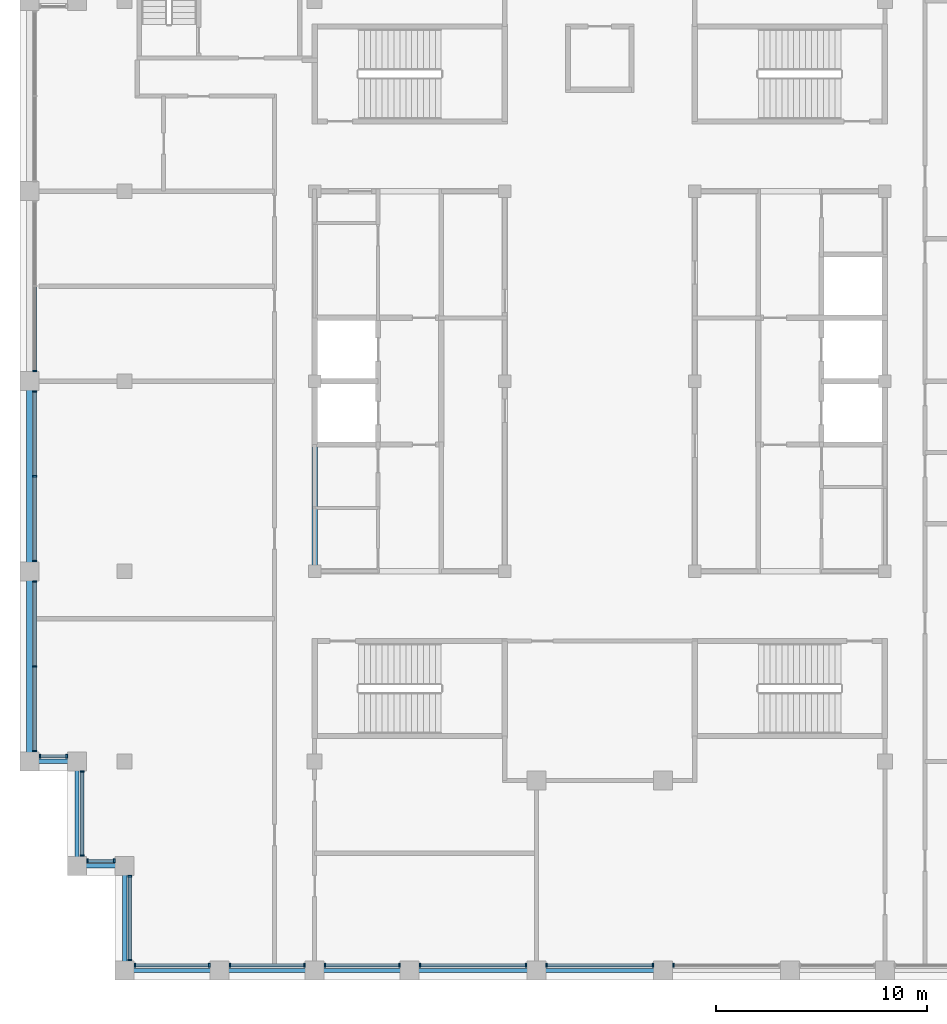
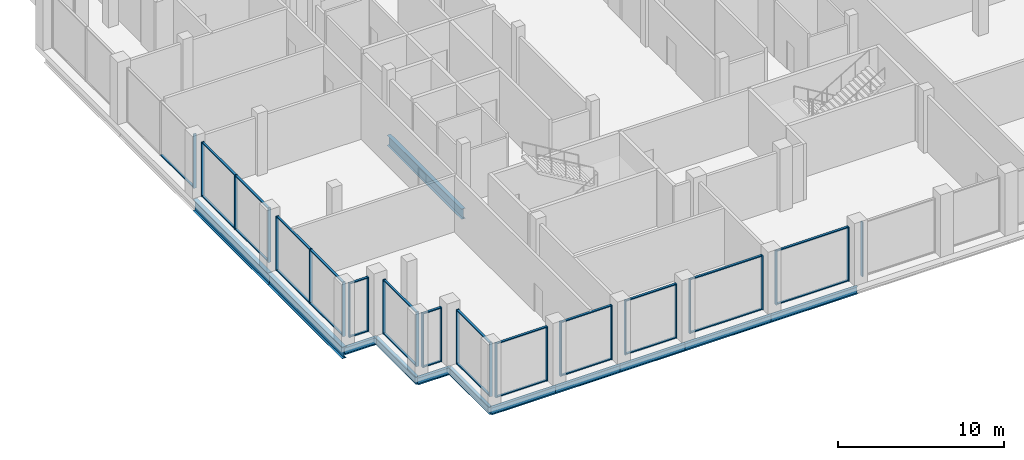
# One storey, part 2 of 13: 53 members, 12 beams, 13 elements without a shape of their own.
"""IFC4 building model written with IfcOpenShell, lengths in metres."""

from ifc_helpers import new_model, si_unit, direction, frame, origin, origin_2d, place, context, subcontext, project, spatial, rectangle, i_section, extrude, material, layer, layer_set, material_profile, profile_set, type_object, element, aggregate, save


model = new_model("IFC4")

# Units and contexts
model_context = context("Model", 3, precision=1e-05, world=origin(), true_north=direction((0.0, 1.0)))
body_context = subcontext(model_context, "Body", "Model", "MODEL_VIEW")
ifc_project = project(units=[si_unit("LENGTHUNIT", "METRE"), si_unit("AREAUNIT", "SQUARE_METRE"), si_unit("VOLUMEUNIT", "CUBIC_METRE"), si_unit("PLANEANGLEUNIT", "RADIAN"), si_unit("MASSUNIT", "GRAM", prefix="KILO")], contexts=[model_context])

# Site, building, storey
site_placement = place(None, origin())
site = spatial("IfcSite", under=ifc_project, at=site_placement, CompositionType="ELEMENT")
building_placement = place(site_placement, origin())
building = spatial("IfcBuilding", under=site, at=building_placement, Name="Corbelhall Arena Tower", CompositionType="ELEMENT")
storey_placement = place(building_placement, frame((0.0, 0.0, 361.0)))
storey = spatial("IfcBuildingStorey", under=building, at=storey_placement, Name="L79", CompositionType="ELEMENT", Elevation=361.0)

# Curtain wall, member
ifc_material_1 = material(Name="Aluminium black anodised", Category="aluminium")
ifc_layer = layer(ifc_material_1, 0.179931640625)
ifc_layer_set = layer_set([ifc_layer], Name="EV-CW3 Crown glazing")
curtain_wall_type = type_object("IfcCurtainWallType", Name="EV-CW3 Crown glazing", PredefinedType="NOTDEFINED", material=ifc_layer_set)
curtain_wall_1_placement = place(storey_placement, origin())
curtain_wall_1 = element("IfcCurtainWall", 1, at=curtain_wall_1_placement, inside=storey, type_object=curtain_wall_type, Name="Curtain wall CW3", PredefinedType="NOTDEFINED")
ifc_material_profile_1 = material_profile(ifc_material_1, rectangle(XDim=0.199951171875, YDim=0.074951171875, at=origin_2d()))
ifc_profile_set_1 = profile_set([ifc_material_profile_1], Name="Aluminium black anodised")
member_type_1 = type_object("IfcMemberType", Name="EV-CW3-MULLION", PredefinedType="MULLION", material=ifc_profile_set_1)
member_1_placement = place(storey_placement, frame((-26.75, 0.487548828125, 0.0), z_axis=(0.0, 0.0, 1.0), x_axis=(1.0, 0.0, 0.0)))
member_1 = element("IfcMember", 2, at=member_1_placement, type_object=member_type_1, Name="CW3 mullion 3", PredefinedType="MULLION", context=body_context, shape_type="SweptSolid", body=[
    extrude(rectangle(XDim=0.199951171875, YDim=0.074951171875, at=origin_2d()), origin(), (0.0, 0.0, 1.0), 3.99951171875),
])

# Curtain wall, members
curtain_wall_2_placement = place(storey_placement, origin())
curtain_wall_2 = element("IfcCurtainWall", 3, at=curtain_wall_2_placement, inside=storey, type_object=curtain_wall_type, Name="Curtain wall CW3", PredefinedType="NOTDEFINED")
member_2_placement = place(storey_placement, frame((-26.75, -0.487548828125, 0.0), z_axis=(0.0, 0.0, 1.0), x_axis=(1.0, 0.0, 0.0)))
member_2 = element("IfcMember", 4, at=member_2_placement, type_object=member_type_1, Name="CW3 mullion 1", PredefinedType="MULLION", context=body_context, shape_type="SweptSolid", body=[
    extrude(rectangle(XDim=0.199951171875, YDim=0.074951171875, at=origin_2d()), origin(), (0.0, 0.0, 1.0), 3.99951171875),
])
member_3_placement = place(storey_placement, frame((-26.75, -4.5, 0.0), z_axis=(0.0, 0.0, 1.0), x_axis=(1.0, 0.0, 0.0)))
member_3 = element("IfcMember", 5, at=member_3_placement, type_object=member_type_1, Name="CW3 mullion 2", PredefinedType="MULLION", context=body_context, shape_type="SweptSolid", body=[
    extrude(rectangle(XDim=0.199951171875, YDim=0.074951171875, at=origin_2d()), origin(), (0.0, 0.0, 1.0), 3.99951171875),
])
member_4_placement = place(storey_placement, frame((-26.75, -8.512451171875, 0.0), z_axis=(0.0, 0.0, 1.0), x_axis=(1.0, 0.0, 0.0)))
member_4 = element("IfcMember", 6, at=member_4_placement, type_object=member_type_1, Name="CW3 mullion 3", PredefinedType="MULLION", context=body_context, shape_type="SweptSolid", body=[
    extrude(rectangle(XDim=0.199951171875, YDim=0.074951171875, at=origin_2d()), origin(), (0.0, 0.0, 1.0), 3.99951171875),
])

curtain_wall_3_placement = place(storey_placement, origin())
curtain_wall_3 = element("IfcCurtainWall", 7, at=curtain_wall_3_placement, inside=storey, type_object=curtain_wall_type, Name="Curtain wall CW3", PredefinedType="NOTDEFINED")
member_5_placement = place(storey_placement, frame((-26.75, -9.487548828125, 0.0), z_axis=(0.0, 0.0, 1.0), x_axis=(1.0, 0.0, 0.0)))
member_5 = element("IfcMember", 8, at=member_5_placement, type_object=member_type_1, Name="CW3 mullion 1", PredefinedType="MULLION", context=body_context, shape_type="SweptSolid", body=[
    extrude(rectangle(XDim=0.199951171875, YDim=0.074951171875, at=origin_2d()), origin(), (0.0, 0.0, 1.0), 3.99951171875),
])
member_6_placement = place(storey_placement, frame((-26.75, -13.5, 0.0), z_axis=(0.0, 0.0, 1.0), x_axis=(1.0, 0.0, 0.0)))
member_6 = element("IfcMember", 9, at=member_6_placement, type_object=member_type_1, Name="CW3 mullion 2", PredefinedType="MULLION", context=body_context, shape_type="SweptSolid", body=[
    extrude(rectangle(XDim=0.199951171875, YDim=0.074951171875, at=origin_2d()), origin(), (0.0, 0.0, 1.0), 3.99951171875),
])
member_7_placement = place(storey_placement, frame((-26.75, -17.512451171875, 0.0), z_axis=(0.0, 0.0, 1.0), x_axis=(1.0, 0.0, 0.0)))
member_7 = element("IfcMember", 10, at=member_7_placement, type_object=member_type_1, Name="CW3 mullion 3", PredefinedType="MULLION", context=body_context, shape_type="SweptSolid", body=[
    extrude(rectangle(XDim=0.199951171875, YDim=0.074951171875, at=origin_2d()), origin(), (0.0, 0.0, 1.0), 3.99951171875),
])

curtain_wall_4_placement = place(storey_placement, origin())
curtain_wall_4 = element("IfcCurtainWall", 11, at=curtain_wall_4_placement, inside=storey, type_object=curtain_wall_type, Name="Curtain wall CW3B", PredefinedType="NOTDEFINED")
member_8_placement = place(storey_placement, frame((-26.512451171875, -17.75, 0.0), z_axis=(0.0, 0.0, 1.0), x_axis=(0.0, 1.0, 0.0)))
member_8 = element("IfcMember", 12, at=member_8_placement, type_object=member_type_1, Name="CW3B mullion 1", PredefinedType="MULLION", context=body_context, shape_type="SweptSolid", body=[
    extrude(rectangle(XDim=0.199951171875, YDim=0.074951171875, at=origin_2d()), origin(), (0.0, 0.0, 1.0), 3.99951171875),
])
member_9_placement = place(storey_placement, frame((-25.237548828125, -17.75, 0.0), z_axis=(0.0, 0.0, 1.0), x_axis=(0.0, 1.0, 0.0)))
member_9 = element("IfcMember", 13, at=member_9_placement, type_object=member_type_1, Name="CW3B mullion 2", PredefinedType="MULLION", context=body_context, shape_type="SweptSolid", body=[
    extrude(rectangle(XDim=0.199951171875, YDim=0.074951171875, at=origin_2d()), origin(), (0.0, 0.0, 1.0), 3.99951171875),
])

curtain_wall_5_placement = place(storey_placement, origin())
curtain_wall_5 = element("IfcCurtainWall", 14, at=curtain_wall_5_placement, inside=storey, type_object=curtain_wall_type, Name="Curtain wall CW3", PredefinedType="NOTDEFINED")
member_10_placement = place(storey_placement, frame((-24.5, -18.487548828125, 0.0), z_axis=(0.0, 0.0, 1.0), x_axis=(1.0, 0.0, 0.0)))
member_10 = element("IfcMember", 15, at=member_10_placement, type_object=member_type_1, Name="CW3 mullion 1", PredefinedType="MULLION", context=body_context, shape_type="SweptSolid", body=[
    extrude(rectangle(XDim=0.199951171875, YDim=0.074951171875, at=origin_2d()), origin(), (0.0, 0.0, 1.0), 3.99951171875),
])
member_11_placement = place(storey_placement, frame((-24.5, -22.46240234375, 0.0), z_axis=(0.0, 0.0, 1.0), x_axis=(1.0, 0.0, 0.0)))
member_11 = element("IfcMember", 16, at=member_11_placement, type_object=member_type_1, Name="CW3 mullion 2", PredefinedType="MULLION", context=body_context, shape_type="SweptSolid", body=[
    extrude(rectangle(XDim=0.199951171875, YDim=0.074951171875, at=origin_2d()), origin(), (0.0, 0.0, 1.0), 3.99951171875),
])

curtain_wall_6_placement = place(storey_placement, origin())
curtain_wall_6 = element("IfcCurtainWall", 17, at=curtain_wall_6_placement, inside=storey, type_object=curtain_wall_type, Name="Curtain wall CW3B", PredefinedType="NOTDEFINED")
member_12_placement = place(storey_placement, frame((-24.262451171875, -22.699951171875, 0.0), z_axis=(0.0, 0.0, 1.0), x_axis=(0.0, 1.0, 0.0)))
member_12 = element("IfcMember", 18, at=member_12_placement, type_object=member_type_1, Name="CW3B mullion 1", PredefinedType="MULLION", context=body_context, shape_type="SweptSolid", body=[
    extrude(rectangle(XDim=0.199951171875, YDim=0.074951171875, at=origin_2d()), origin(), (0.0, 0.0, 1.0), 3.99951171875),
])
member_13_placement = place(storey_placement, frame((-22.987548828125, -22.699951171875, 0.0), z_axis=(0.0, 0.0, 1.0), x_axis=(0.0, 1.0, 0.0)))
member_13 = element("IfcMember", 19, at=member_13_placement, type_object=member_type_1, Name="CW3B mullion 2", PredefinedType="MULLION", context=body_context, shape_type="SweptSolid", body=[
    extrude(rectangle(XDim=0.199951171875, YDim=0.074951171875, at=origin_2d()), origin(), (0.0, 0.0, 1.0), 3.99951171875),
])

curtain_wall_7_placement = place(storey_placement, origin())
curtain_wall_7 = element("IfcCurtainWall", 20, at=curtain_wall_7_placement, inside=storey, type_object=curtain_wall_type, Name="Curtain wall CW3", PredefinedType="NOTDEFINED")
member_14_placement = place(storey_placement, frame((-22.25, -23.4375, 0.0), z_axis=(0.0, 0.0, 1.0), x_axis=(1.0, 0.0, 0.0)))
member_14 = element("IfcMember", 21, at=member_14_placement, type_object=member_type_1, Name="CW3 mullion 1", PredefinedType="MULLION", context=body_context, shape_type="SweptSolid", body=[
    extrude(rectangle(XDim=0.199951171875, YDim=0.074951171875, at=origin_2d()), origin(), (0.0, 0.0, 1.0), 3.99951171875),
])
member_15_placement = place(storey_placement, frame((-22.25, -27.41259765625, 0.0), z_axis=(0.0, 0.0, 1.0), x_axis=(1.0, 0.0, 0.0)))
member_15 = element("IfcMember", 22, at=member_15_placement, type_object=member_type_1, Name="CW3 mullion 2", PredefinedType="MULLION", context=body_context, shape_type="SweptSolid", body=[
    extrude(rectangle(XDim=0.199951171875, YDim=0.074951171875, at=origin_2d()), origin(), (0.0, 0.0, 1.0), 3.99951171875),
])

curtain_wall_8_placement = place(storey_placement, origin())
curtain_wall_8 = element("IfcCurtainWall", 23, at=curtain_wall_8_placement, inside=storey, type_object=curtain_wall_type, Name="Curtain wall CW3A", PredefinedType="NOTDEFINED")
member_16_placement = place(storey_placement, frame((-22.012451171875, -27.64990234375, 0.0), z_axis=(0.0, 0.0, 1.0), x_axis=(0.0, 1.0, 0.0)))
member_16 = element("IfcMember", 24, at=member_16_placement, type_object=member_type_1, Name="CW3A mullion 1", PredefinedType="MULLION", context=body_context, shape_type="SweptSolid", body=[
    extrude(rectangle(XDim=0.199951171875, YDim=0.074951171875, at=origin_2d()), origin(), (0.0, 0.0, 1.0), 3.99951171875),
])
member_17_placement = place(storey_placement, frame((-18.487548828125, -27.64990234375, 0.0), z_axis=(0.0, 0.0, 1.0), x_axis=(0.0, 1.0, 0.0)))
member_17 = element("IfcMember", 25, at=member_17_placement, type_object=member_type_1, Name="CW3A mullion 2", PredefinedType="MULLION", context=body_context, shape_type="SweptSolid", body=[
    extrude(rectangle(XDim=0.199951171875, YDim=0.074951171875, at=origin_2d()), origin(), (0.0, 0.0, 1.0), 3.99951171875),
])

curtain_wall_9_placement = place(storey_placement, origin())
curtain_wall_9 = element("IfcCurtainWall", 26, at=curtain_wall_9_placement, inside=storey, type_object=curtain_wall_type, Name="Curtain wall CW3A", PredefinedType="NOTDEFINED")
member_18_placement = place(storey_placement, frame((-17.512451171875, -27.64990234375, 0.0), z_axis=(0.0, 0.0, 1.0), x_axis=(0.0, 1.0, 0.0)))
member_18 = element("IfcMember", 27, at=member_18_placement, type_object=member_type_1, Name="CW3A mullion 1", PredefinedType="MULLION", context=body_context, shape_type="SweptSolid", body=[
    extrude(rectangle(XDim=0.199951171875, YDim=0.074951171875, at=origin_2d()), origin(), (0.0, 0.0, 1.0), 3.99951171875),
])
member_19_placement = place(storey_placement, frame((-13.987548828125, -27.64990234375, 0.0), z_axis=(0.0, 0.0, 1.0), x_axis=(0.0, 1.0, 0.0)))
member_19 = element("IfcMember", 28, at=member_19_placement, type_object=member_type_1, Name="CW3A mullion 2", PredefinedType="MULLION", context=body_context, shape_type="SweptSolid", body=[
    extrude(rectangle(XDim=0.199951171875, YDim=0.074951171875, at=origin_2d()), origin(), (0.0, 0.0, 1.0), 3.99951171875),
])

curtain_wall_10_placement = place(storey_placement, origin())
curtain_wall_10 = element("IfcCurtainWall", 29, at=curtain_wall_10_placement, inside=storey, type_object=curtain_wall_type, Name="Curtain wall CW3A", PredefinedType="NOTDEFINED")
member_20_placement = place(storey_placement, frame((-13.012451171875, -27.64990234375, 0.0), z_axis=(0.0, 0.0, 1.0), x_axis=(0.0, 1.0, 0.0)))
member_20 = element("IfcMember", 30, at=member_20_placement, type_object=member_type_1, Name="CW3A mullion 1", PredefinedType="MULLION", context=body_context, shape_type="SweptSolid", body=[
    extrude(rectangle(XDim=0.199951171875, YDim=0.074951171875, at=origin_2d()), origin(), (0.0, 0.0, 1.0), 3.99951171875),
])
member_21_placement = place(storey_placement, frame((-9.487548828125, -27.64990234375, 0.0), z_axis=(0.0, 0.0, 1.0), x_axis=(0.0, 1.0, 0.0)))
member_21 = element("IfcMember", 31, at=member_21_placement, type_object=member_type_1, Name="CW3A mullion 2", PredefinedType="MULLION", context=body_context, shape_type="SweptSolid", body=[
    extrude(rectangle(XDim=0.199951171875, YDim=0.074951171875, at=origin_2d()), origin(), (0.0, 0.0, 1.0), 3.99951171875),
])

curtain_wall_11_placement = place(storey_placement, origin())
curtain_wall_11 = element("IfcCurtainWall", 32, at=curtain_wall_11_placement, inside=storey, type_object=curtain_wall_type, Name="Curtain wall CW3C", PredefinedType="NOTDEFINED")
member_22_placement = place(storey_placement, frame((-8.512451171875, -27.64990234375, 0.0), z_axis=(0.0, 0.0, 1.0), x_axis=(0.0, 1.0, 0.0)))
member_22 = element("IfcMember", 33, at=member_22_placement, type_object=member_type_1, Name="CW3C mullion 1", PredefinedType="MULLION", context=body_context, shape_type="SweptSolid", body=[
    extrude(rectangle(XDim=0.199951171875, YDim=0.074951171875, at=origin_2d()), origin(), (0.0, 0.0, 1.0), 3.99951171875),
])
member_23_placement = place(storey_placement, frame((-3.487548828125, -27.64990234375, 0.0), z_axis=(0.0, 0.0, 1.0), x_axis=(0.0, 1.0, 0.0)))
member_23 = element("IfcMember", 34, at=member_23_placement, type_object=member_type_1, Name="CW3C mullion 2", PredefinedType="MULLION", context=body_context, shape_type="SweptSolid", body=[
    extrude(rectangle(XDim=0.199951171875, YDim=0.074951171875, at=origin_2d()), origin(), (0.0, 0.0, 1.0), 3.99951171875),
])

curtain_wall_12_placement = place(storey_placement, origin())
curtain_wall_12 = element("IfcCurtainWall", 35, at=curtain_wall_12_placement, inside=storey, type_object=curtain_wall_type, Name="Curtain wall CW3C", PredefinedType="NOTDEFINED")
member_24_placement = place(storey_placement, frame((-2.512451171875, -27.64990234375, 0.0), z_axis=(0.0, 0.0, 1.0), x_axis=(0.0, 1.0, 0.0)))
member_24 = element("IfcMember", 36, at=member_24_placement, type_object=member_type_1, Name="CW3C mullion 1", PredefinedType="MULLION", context=body_context, shape_type="SweptSolid", body=[
    extrude(rectangle(XDim=0.199951171875, YDim=0.074951171875, at=origin_2d()), origin(), (0.0, 0.0, 1.0), 3.99951171875),
])
member_25_placement = place(storey_placement, frame((2.512451171875, -27.64990234375, 0.0), z_axis=(0.0, 0.0, 1.0), x_axis=(0.0, 1.0, 0.0)))
member_25 = element("IfcMember", 37, at=member_25_placement, type_object=member_type_1, Name="CW3C mullion 2", PredefinedType="MULLION", context=body_context, shape_type="SweptSolid", body=[
    extrude(rectangle(XDim=0.199951171875, YDim=0.074951171875, at=origin_2d()), origin(), (0.0, 0.0, 1.0), 3.99951171875),
])

# Curtain wall, member
curtain_wall_13_placement = place(storey_placement, origin())
curtain_wall_13 = element("IfcCurtainWall", 38, at=curtain_wall_13_placement, inside=storey, type_object=curtain_wall_type, Name="Curtain wall CW3C", PredefinedType="NOTDEFINED")
member_26_placement = place(storey_placement, frame((3.487548828125, -27.64990234375, 0.0), z_axis=(0.0, 0.0, 1.0), x_axis=(0.0, 1.0, 0.0)))
member_26 = element("IfcMember", 39, at=member_26_placement, type_object=member_type_1, Name="CW3C mullion 1", PredefinedType="MULLION", context=body_context, shape_type="SweptSolid", body=[
    extrude(rectangle(XDim=0.199951171875, YDim=0.074951171875, at=origin_2d()), origin(), (0.0, 0.0, 1.0), 3.99951171875),
])
aggregate(curtain_wall_13, [member_26])

# Member
ifc_material_profile_2 = material_profile(ifc_material_1, rectangle(XDim=0.14990234375, YDim=0.074951171875, at=origin_2d()))
ifc_profile_set_2 = profile_set([ifc_material_profile_2], Name="Aluminium black anodised")
member_type_2 = type_object("IfcMemberType", Name="EV-CW3-TRANSOM", PredefinedType="USERDEFINED", material=ifc_profile_set_2)
member_27_placement = place(storey_placement, frame((-26.75, 4.46240234375, 0.03759765625), z_axis=(0.0, -1.0, 0.0), x_axis=(1.0, 0.0, 0.0)))
member_27 = element("IfcMember", 40, at=member_27_placement, type_object=member_type_2, Name="CW3 transom 2.1", ObjectType="transom", PredefinedType="USERDEFINED", context=body_context, shape_type="SweptSolid", body=[
    extrude(rectangle(XDim=0.14990234375, YDim=0.074951171875, at=origin_2d()), origin(), (0.0, 0.0, 1.0), 3.9375),
])

aggregate(curtain_wall_1, [member_1, member_27])

member_28_placement = place(storey_placement, frame((-26.75, -0.52490234375, 0.03759765625), z_axis=(0.0, -1.0, 0.0), x_axis=(1.0, 0.0, 0.0)))
member_28 = element("IfcMember", 41, at=member_28_placement, type_object=member_type_2, Name="CW3 transom 1.1", ObjectType="transom", PredefinedType="USERDEFINED", context=body_context, shape_type="SweptSolid", body=[
    extrude(rectangle(XDim=0.14990234375, YDim=0.074951171875, at=origin_2d()), origin(), (0.0, 0.0, 1.0), 3.9375),
])

member_29_placement = place(storey_placement, frame((-26.75, -0.52490234375, 3.962158203125), z_axis=(0.0, -1.0, 0.0), x_axis=(1.0, 0.0, 0.0)))
member_29 = element("IfcMember", 42, at=member_29_placement, type_object=member_type_2, Name="CW3 transom 1.2", ObjectType="transom", PredefinedType="USERDEFINED", context=body_context, shape_type="SweptSolid", body=[
    extrude(rectangle(XDim=0.14990234375, YDim=0.074951171875, at=origin_2d()), origin(), (0.0, 0.0, 1.0), 3.9375),
])

member_30_placement = place(storey_placement, frame((-26.75, -4.53759765625, 0.03759765625), z_axis=(0.0, -1.0, 0.0), x_axis=(1.0, 0.0, 0.0)))
member_30 = element("IfcMember", 43, at=member_30_placement, type_object=member_type_2, Name="CW3 transom 2.1", ObjectType="transom", PredefinedType="USERDEFINED", context=body_context, shape_type="SweptSolid", body=[
    extrude(rectangle(XDim=0.14990234375, YDim=0.074951171875, at=origin_2d()), origin(), (0.0, 0.0, 1.0), 3.9375),
])

member_31_placement = place(storey_placement, frame((-26.75, -4.53759765625, 3.962158203125), z_axis=(0.0, -1.0, 0.0), x_axis=(1.0, 0.0, 0.0)))
member_31 = element("IfcMember", 44, at=member_31_placement, type_object=member_type_2, Name="CW3 transom 2.2", ObjectType="transom", PredefinedType="USERDEFINED", context=body_context, shape_type="SweptSolid", body=[
    extrude(rectangle(XDim=0.14990234375, YDim=0.074951171875, at=origin_2d()), origin(), (0.0, 0.0, 1.0), 3.9375),
])

aggregate(curtain_wall_2, [member_2, member_3, member_4, member_28, member_29, member_30, member_31])

member_32_placement = place(storey_placement, frame((-26.75, -9.52490234375, 0.03759765625), z_axis=(0.0, -1.0, 0.0), x_axis=(1.0, 0.0, 0.0)))
member_32 = element("IfcMember", 45, at=member_32_placement, type_object=member_type_2, Name="CW3 transom 1.1", ObjectType="transom", PredefinedType="USERDEFINED", context=body_context, shape_type="SweptSolid", body=[
    extrude(rectangle(XDim=0.14990234375, YDim=0.074951171875, at=origin_2d()), origin(), (0.0, 0.0, 1.0), 3.9375),
])

member_33_placement = place(storey_placement, frame((-26.75, -9.52490234375, 3.962158203125), z_axis=(0.0, -1.0, 0.0), x_axis=(1.0, 0.0, 0.0)))
member_33 = element("IfcMember", 46, at=member_33_placement, type_object=member_type_2, Name="CW3 transom 1.2", ObjectType="transom", PredefinedType="USERDEFINED", context=body_context, shape_type="SweptSolid", body=[
    extrude(rectangle(XDim=0.14990234375, YDim=0.074951171875, at=origin_2d()), origin(), (0.0, 0.0, 1.0), 3.9375),
])

member_34_placement = place(storey_placement, frame((-26.75, -13.53759765625, 0.03759765625), z_axis=(0.0, -1.0, 0.0), x_axis=(1.0, 0.0, 0.0)))
member_34 = element("IfcMember", 47, at=member_34_placement, type_object=member_type_2, Name="CW3 transom 2.1", ObjectType="transom", PredefinedType="USERDEFINED", context=body_context, shape_type="SweptSolid", body=[
    extrude(rectangle(XDim=0.14990234375, YDim=0.074951171875, at=origin_2d()), origin(), (0.0, 0.0, 1.0), 3.9375),
])

member_35_placement = place(storey_placement, frame((-26.75, -13.53759765625, 3.962158203125), z_axis=(0.0, -1.0, 0.0), x_axis=(1.0, 0.0, 0.0)))
member_35 = element("IfcMember", 48, at=member_35_placement, type_object=member_type_2, Name="CW3 transom 2.2", ObjectType="transom", PredefinedType="USERDEFINED", context=body_context, shape_type="SweptSolid", body=[
    extrude(rectangle(XDim=0.14990234375, YDim=0.074951171875, at=origin_2d()), origin(), (0.0, 0.0, 1.0), 3.9375),
])

aggregate(curtain_wall_3, [member_5, member_6, member_7, member_32, member_33, member_34, member_35])

member_36_placement = place(storey_placement, frame((-26.47509765625, -17.75, 0.03759765625), z_axis=(1.0, 0.0, 0.0), x_axis=(0.0, 1.0, 0.0)))
member_36 = element("IfcMember", 49, at=member_36_placement, type_object=member_type_2, Name="CW3B transom 1.1", ObjectType="transom", PredefinedType="USERDEFINED", context=body_context, shape_type="SweptSolid", body=[
    extrude(rectangle(XDim=0.14990234375, YDim=0.074951171875, at=origin_2d()), origin(), (0.0, 0.0, 1.0), 1.2001953125),
])

member_37_placement = place(storey_placement, frame((-26.47509765625, -17.75, 3.962158203125), z_axis=(1.0, 0.0, 0.0), x_axis=(0.0, 1.0, 0.0)))
member_37 = element("IfcMember", 50, at=member_37_placement, type_object=member_type_2, Name="CW3B transom 1.2", ObjectType="transom", PredefinedType="USERDEFINED", context=body_context, shape_type="SweptSolid", body=[
    extrude(rectangle(XDim=0.14990234375, YDim=0.074951171875, at=origin_2d()), origin(), (0.0, 0.0, 1.0), 1.2001953125),
])

aggregate(curtain_wall_4, [member_8, member_9, member_36, member_37])

member_38_placement = place(storey_placement, frame((-24.5, -18.52490234375, 0.03759765625), z_axis=(0.0, -1.0, 0.0), x_axis=(1.0, 0.0, 0.0)))
member_38 = element("IfcMember", 51, at=member_38_placement, type_object=member_type_2, Name="CW3 transom 1.1", ObjectType="transom", PredefinedType="USERDEFINED", context=body_context, shape_type="SweptSolid", body=[
    extrude(rectangle(XDim=0.14990234375, YDim=0.074951171875, at=origin_2d()), origin(), (0.0, 0.0, 1.0), 3.900146484375),
])

member_39_placement = place(storey_placement, frame((-24.5, -18.52490234375, 3.962158203125), z_axis=(0.0, -1.0, 0.0), x_axis=(1.0, 0.0, 0.0)))
member_39 = element("IfcMember", 52, at=member_39_placement, type_object=member_type_2, Name="CW3 transom 1.2", ObjectType="transom", PredefinedType="USERDEFINED", context=body_context, shape_type="SweptSolid", body=[
    extrude(rectangle(XDim=0.14990234375, YDim=0.074951171875, at=origin_2d()), origin(), (0.0, 0.0, 1.0), 3.900146484375),
])

aggregate(curtain_wall_5, [member_10, member_11, member_38, member_39])

member_40_placement = place(storey_placement, frame((-24.22509765625, -22.699951171875, 0.03759765625), z_axis=(1.0, 0.0, 0.0), x_axis=(0.0, 1.0, 0.0)))
member_40 = element("IfcMember", 53, at=member_40_placement, type_object=member_type_2, Name="CW3B transom 1.1", ObjectType="transom", PredefinedType="USERDEFINED", context=body_context, shape_type="SweptSolid", body=[
    extrude(rectangle(XDim=0.14990234375, YDim=0.074951171875, at=origin_2d()), origin(), (0.0, 0.0, 1.0), 1.2001953125),
])

member_41_placement = place(storey_placement, frame((-24.22509765625, -22.699951171875, 3.962158203125), z_axis=(1.0, 0.0, 0.0), x_axis=(0.0, 1.0, 0.0)))
member_41 = element("IfcMember", 54, at=member_41_placement, type_object=member_type_2, Name="CW3B transom 1.2", ObjectType="transom", PredefinedType="USERDEFINED", context=body_context, shape_type="SweptSolid", body=[
    extrude(rectangle(XDim=0.14990234375, YDim=0.074951171875, at=origin_2d()), origin(), (0.0, 0.0, 1.0), 1.2001953125),
])

aggregate(curtain_wall_6, [member_12, member_13, member_40, member_41])

member_42_placement = place(storey_placement, frame((-22.25, -23.47509765625, 0.03759765625), z_axis=(0.0, -1.0, 0.0), x_axis=(1.0, 0.0, 0.0)))
member_42 = element("IfcMember", 55, at=member_42_placement, type_object=member_type_2, Name="CW3 transom 1.1", ObjectType="transom", PredefinedType="USERDEFINED", context=body_context, shape_type="SweptSolid", body=[
    extrude(rectangle(XDim=0.14990234375, YDim=0.074951171875, at=origin_2d()), origin(), (0.0, 0.0, 1.0), 3.89990234375),
])

member_43_placement = place(storey_placement, frame((-22.25, -23.47509765625, 3.962158203125), z_axis=(0.0, -1.0, 0.0), x_axis=(1.0, 0.0, 0.0)))
member_43 = element("IfcMember", 56, at=member_43_placement, type_object=member_type_2, Name="CW3 transom 1.2", ObjectType="transom", PredefinedType="USERDEFINED", context=body_context, shape_type="SweptSolid", body=[
    extrude(rectangle(XDim=0.14990234375, YDim=0.074951171875, at=origin_2d()), origin(), (0.0, 0.0, 1.0), 3.89990234375),
])

aggregate(curtain_wall_7, [member_14, member_15, member_42, member_43])

member_44_placement = place(storey_placement, frame((-21.97509765625, -27.64990234375, 0.03759765625), z_axis=(1.0, 0.0, 0.0), x_axis=(0.0, 1.0, 0.0)))
member_44 = element("IfcMember", 57, at=member_44_placement, type_object=member_type_2, Name="CW3A transom 1.1", ObjectType="transom", PredefinedType="USERDEFINED", context=body_context, shape_type="SweptSolid", body=[
    extrude(rectangle(XDim=0.14990234375, YDim=0.074951171875, at=origin_2d()), origin(), (0.0, 0.0, 1.0), 3.4501953125),
])

member_45_placement = place(storey_placement, frame((-21.97509765625, -27.64990234375, 3.962158203125), z_axis=(1.0, 0.0, 0.0), x_axis=(0.0, 1.0, 0.0)))
member_45 = element("IfcMember", 58, at=member_45_placement, type_object=member_type_2, Name="CW3A transom 1.2", ObjectType="transom", PredefinedType="USERDEFINED", context=body_context, shape_type="SweptSolid", body=[
    extrude(rectangle(XDim=0.14990234375, YDim=0.074951171875, at=origin_2d()), origin(), (0.0, 0.0, 1.0), 3.4501953125),
])

aggregate(curtain_wall_8, [member_16, member_17, member_44, member_45])

member_46_placement = place(storey_placement, frame((-17.47509765625, -27.64990234375, 0.03759765625), z_axis=(1.0, 0.0, 0.0), x_axis=(0.0, 1.0, 0.0)))
member_46 = element("IfcMember", 59, at=member_46_placement, type_object=member_type_2, Name="CW3A transom 1.1", ObjectType="transom", PredefinedType="USERDEFINED", context=body_context, shape_type="SweptSolid", body=[
    extrude(rectangle(XDim=0.14990234375, YDim=0.074951171875, at=origin_2d()), origin(), (0.0, 0.0, 1.0), 3.4501953125),
])

member_47_placement = place(storey_placement, frame((-17.47509765625, -27.64990234375, 3.962158203125), z_axis=(1.0, 0.0, 0.0), x_axis=(0.0, 1.0, 0.0)))
member_47 = element("IfcMember", 60, at=member_47_placement, type_object=member_type_2, Name="CW3A transom 1.2", ObjectType="transom", PredefinedType="USERDEFINED", context=body_context, shape_type="SweptSolid", body=[
    extrude(rectangle(XDim=0.14990234375, YDim=0.074951171875, at=origin_2d()), origin(), (0.0, 0.0, 1.0), 3.4501953125),
])

aggregate(curtain_wall_9, [member_18, member_19, member_46, member_47])

member_48_placement = place(storey_placement, frame((-12.97509765625, -27.64990234375, 0.03759765625), z_axis=(1.0, 0.0, 0.0), x_axis=(0.0, 1.0, 0.0)))
member_48 = element("IfcMember", 61, at=member_48_placement, type_object=member_type_2, Name="CW3A transom 1.1", ObjectType="transom", PredefinedType="USERDEFINED", context=body_context, shape_type="SweptSolid", body=[
    extrude(rectangle(XDim=0.14990234375, YDim=0.074951171875, at=origin_2d()), origin(), (0.0, 0.0, 1.0), 3.4501953125),
])

member_49_placement = place(storey_placement, frame((-12.97509765625, -27.64990234375, 3.962158203125), z_axis=(1.0, 0.0, 0.0), x_axis=(0.0, 1.0, 0.0)))
member_49 = element("IfcMember", 62, at=member_49_placement, type_object=member_type_2, Name="CW3A transom 1.2", ObjectType="transom", PredefinedType="USERDEFINED", context=body_context, shape_type="SweptSolid", body=[
    extrude(rectangle(XDim=0.14990234375, YDim=0.074951171875, at=origin_2d()), origin(), (0.0, 0.0, 1.0), 3.4501953125),
])

aggregate(curtain_wall_10, [member_20, member_21, member_48, member_49])

member_50_placement = place(storey_placement, frame((-8.47509765625, -27.64990234375, 0.03759765625), z_axis=(1.0, 0.0, 0.0), x_axis=(0.0, 1.0, 0.0)))
member_50 = element("IfcMember", 63, at=member_50_placement, type_object=member_type_2, Name="CW3C transom 1.1", ObjectType="transom", PredefinedType="USERDEFINED", context=body_context, shape_type="SweptSolid", body=[
    extrude(rectangle(XDim=0.14990234375, YDim=0.074951171875, at=origin_2d()), origin(), (0.0, 0.0, 1.0), 4.9501953125),
])

member_51_placement = place(storey_placement, frame((-8.47509765625, -27.64990234375, 3.962158203125), z_axis=(1.0, 0.0, 0.0), x_axis=(0.0, 1.0, 0.0)))
member_51 = element("IfcMember", 64, at=member_51_placement, type_object=member_type_2, Name="CW3C transom 1.2", ObjectType="transom", PredefinedType="USERDEFINED", context=body_context, shape_type="SweptSolid", body=[
    extrude(rectangle(XDim=0.14990234375, YDim=0.074951171875, at=origin_2d()), origin(), (0.0, 0.0, 1.0), 4.9501953125),
])

aggregate(curtain_wall_11, [member_22, member_23, member_50, member_51])

member_52_placement = place(storey_placement, frame((-2.47509765625, -27.64990234375, 0.03759765625), z_axis=(1.0, 0.0, 0.0), x_axis=(0.0, 1.0, 0.0)))
member_52 = element("IfcMember", 65, at=member_52_placement, type_object=member_type_2, Name="CW3C transom 1.1", ObjectType="transom", PredefinedType="USERDEFINED", context=body_context, shape_type="SweptSolid", body=[
    extrude(rectangle(XDim=0.14990234375, YDim=0.074951171875, at=origin_2d()), origin(), (0.0, 0.0, 1.0), 4.9501953125),
])

member_53_placement = place(storey_placement, frame((-2.47509765625, -27.64990234375, 3.962158203125), z_axis=(1.0, 0.0, 0.0), x_axis=(0.0, 1.0, 0.0)))
member_53 = element("IfcMember", 66, at=member_53_placement, type_object=member_type_2, Name="CW3C transom 1.2", ObjectType="transom", PredefinedType="USERDEFINED", context=body_context, shape_type="SweptSolid", body=[
    extrude(rectangle(XDim=0.14990234375, YDim=0.074951171875, at=origin_2d()), origin(), (0.0, 0.0, 1.0), 4.9501953125),
])

aggregate(curtain_wall_12, [member_24, member_25, member_52, member_53])

# Beams
ifc_material_2 = material(Name="Steel ASTM A992 Gr50", Category="steel")
ifc_material_profile_3 = material_profile(ifc_material_2, i_section(OverallWidth=0.2666015625, OverallDepth=0.761962890625, WebThickness=0.014404296875, FlangeThickness=0.021484375, at=origin_2d()))
ifc_profile_set_3 = profile_set([ifc_material_profile_3], Name="Steel ASTM A992 Gr50")
beam_type_1 = type_object("IfcBeamType", Name="ST-BEAM-W30x116", PredefinedType="BEAM", material=ifc_profile_set_3)
beam_1_placement = place(storey_placement, frame((-13.5, -9.0, -0.781494140625), z_axis=(0.0, 1.0, 0.0), x_axis=(-1.0, 0.0, 0.0)))
element("IfcBeam", 67, at=beam_1_placement, inside=storey, type_object=beam_type_1, Name="Beam CEW 1", PredefinedType="BEAM", context=body_context, shape_type="SweptSolid", body=[
    extrude(i_section(OverallWidth=0.2666015625, OverallDepth=0.761962890625, WebThickness=0.014404296875, FlangeThickness=0.021484375, at=origin_2d()), origin(), (0.0, 0.0, 1.0), 9.0),
])
ifc_material_profile_4 = material_profile(ifc_material_2, i_section(OverallWidth=0.2099609375, OverallDepth=0.535888671875, WebThickness=0.010986328125, FlangeThickness=0.017333984375, at=origin_2d()))
ifc_profile_set_4 = profile_set([ifc_material_profile_4], Name="Steel ASTM A992 Gr50")
beam_type_2 = type_object("IfcBeamType", Name="ST-SPANDREL-W21x68", PredefinedType="SPANDREL", material=ifc_profile_set_4)
for number, where, z_axis, x_axis, name in (
    (68, (3.0, -27.89990234375, -0.66845703125), (-1.0, 0.0, 0.0), (0.0, -1.0, 0.0), "Beam SP 16"),
    (69, (-3.0, -27.89990234375, -0.66845703125), (-1.0, 0.0, 0.0), (0.0, -1.0, 0.0), "Beam SP 21"),
):
    element("IfcBeam", number, at=place(storey_placement, frame(where, z_axis=z_axis, x_axis=x_axis)), inside=storey, type_object=beam_type_2, Name=name, PredefinedType="SPANDREL", context=body_context, shape_type="SweptSolid", body=[
        extrude(i_section(OverallWidth=0.2099609375, OverallDepth=0.535888671875, WebThickness=0.010986328125, FlangeThickness=0.017333984375, at=origin_2d()), origin(), (0.0, 0.0, 1.0), 6.0),
    ])
for number, where, z_axis, x_axis, name in (
    (70, (-9.0, -27.89990234375, -0.66845703125), (-1.0, 0.0, 0.0), (0.0, -1.0, 0.0), "Beam SP 22"),
    (71, (-13.5, -27.89990234375, -0.66845703125), (-1.0, 0.0, 0.0), (0.0, -1.0, 0.0), "Beam SP 23"),
    (72, (-18.0, -27.89990234375, -0.66845703125), (-1.0, 0.0, 0.0), (0.0, -1.0, 0.0), "Beam SP 24"),
):
    element("IfcBeam", number, at=place(storey_placement, frame(where, z_axis=z_axis, x_axis=x_axis)), inside=storey, type_object=beam_type_2, Name=name, PredefinedType="SPANDREL", context=body_context, shape_type="SweptSolid", body=[
        extrude(i_section(OverallWidth=0.2099609375, OverallDepth=0.535888671875, WebThickness=0.010986328125, FlangeThickness=0.017333984375, at=origin_2d()), origin(), (0.0, 0.0, 1.0), 4.5),
    ])
beam_2_placement = place(storey_placement, frame((-22.5, -27.89990234375, -0.66845703125), z_axis=(0.0, 1.0, 0.0), x_axis=(-1.0, 0.0, 0.0)))
element("IfcBeam", 73, at=beam_2_placement, inside=storey, type_object=beam_type_2, Name="Beam SP 25", PredefinedType="SPANDREL", context=body_context, shape_type="SweptSolid", body=[
    extrude(i_section(OverallWidth=0.2099609375, OverallDepth=0.535888671875, WebThickness=0.010986328125, FlangeThickness=0.017333984375, at=origin_2d()), origin(), (0.0, 0.0, 1.0), 4.949951171875),
])
beam_3_placement = place(storey_placement, frame((-22.5, -22.949951171875, -0.66845703125), z_axis=(-1.0, 0.0, 0.0), x_axis=(0.0, -1.0, 0.0)))
element("IfcBeam", 74, at=beam_3_placement, inside=storey, type_object=beam_type_2, Name="Beam SP 40", PredefinedType="SPANDREL", context=body_context, shape_type="SweptSolid", body=[
    extrude(i_section(OverallWidth=0.2099609375, OverallDepth=0.535888671875, WebThickness=0.010986328125, FlangeThickness=0.017333984375, at=origin_2d()), origin(), (0.0, 0.0, 1.0), 2.25),
])
beam_4_placement = place(storey_placement, frame((-24.75, -22.949951171875, -0.66845703125), z_axis=(0.0, 1.0, 0.0), x_axis=(-1.0, 0.0, 0.0)))
element("IfcBeam", 75, at=beam_4_placement, inside=storey, type_object=beam_type_2, Name="Beam SP 41", PredefinedType="SPANDREL", context=body_context, shape_type="SweptSolid", body=[
    extrude(i_section(OverallWidth=0.2099609375, OverallDepth=0.535888671875, WebThickness=0.010986328125, FlangeThickness=0.017333984375, at=origin_2d()), origin(), (0.0, 0.0, 1.0), 4.949951171875),
])
beam_5_placement = place(storey_placement, frame((-24.75, -18.0, -0.66845703125), z_axis=(-1.0, 0.0, 0.0), x_axis=(0.0, -1.0, 0.0)))
element("IfcBeam", 76, at=beam_5_placement, inside=storey, type_object=beam_type_2, Name="Beam SP 42", PredefinedType="SPANDREL", context=body_context, shape_type="SweptSolid", body=[
    extrude(i_section(OverallWidth=0.2099609375, OverallDepth=0.535888671875, WebThickness=0.010986328125, FlangeThickness=0.017333984375, at=origin_2d()), origin(), (0.0, 0.0, 1.0), 2.25),
])
ifc_material_profile_5 = material_profile(ifc_material_2, i_section(OverallWidth=0.2919921875, OverallDepth=0.845703125, WebThickness=0.015380859375, FlangeThickness=0.0244140625, at=origin_2d()))
ifc_profile_set_5 = profile_set([ifc_material_profile_5], Name="Steel ASTM A992 Gr50")
beam_type_3 = type_object("IfcBeamType", Name="ST-SPANDREL-W33x141", PredefinedType="SPANDREL", material=ifc_profile_set_5)
for number, where, z_axis, x_axis, name in (
    (77, (-27.0, -9.0, -0.8232421875), (0.0, 1.0, 0.0), (-1.0, 0.0, 0.0), "Beam SP 29"),
    (78, (-27.0, -18.0, -0.8232421875), (0.0, 1.0, 0.0), (-1.0, 0.0, 0.0), "Beam SP 30"),
):
    element("IfcBeam", number, at=place(storey_placement, frame(where, z_axis=z_axis, x_axis=x_axis)), inside=storey, type_object=beam_type_3, Name=name, PredefinedType="SPANDREL", context=body_context, shape_type="SweptSolid", body=[
        extrude(i_section(OverallWidth=0.2919921875, OverallDepth=0.845703125, WebThickness=0.015380859375, FlangeThickness=0.0244140625, at=origin_2d()), origin(), (0.0, 0.0, 1.0), 9.0),
    ])

save(model, "model.ifc")
